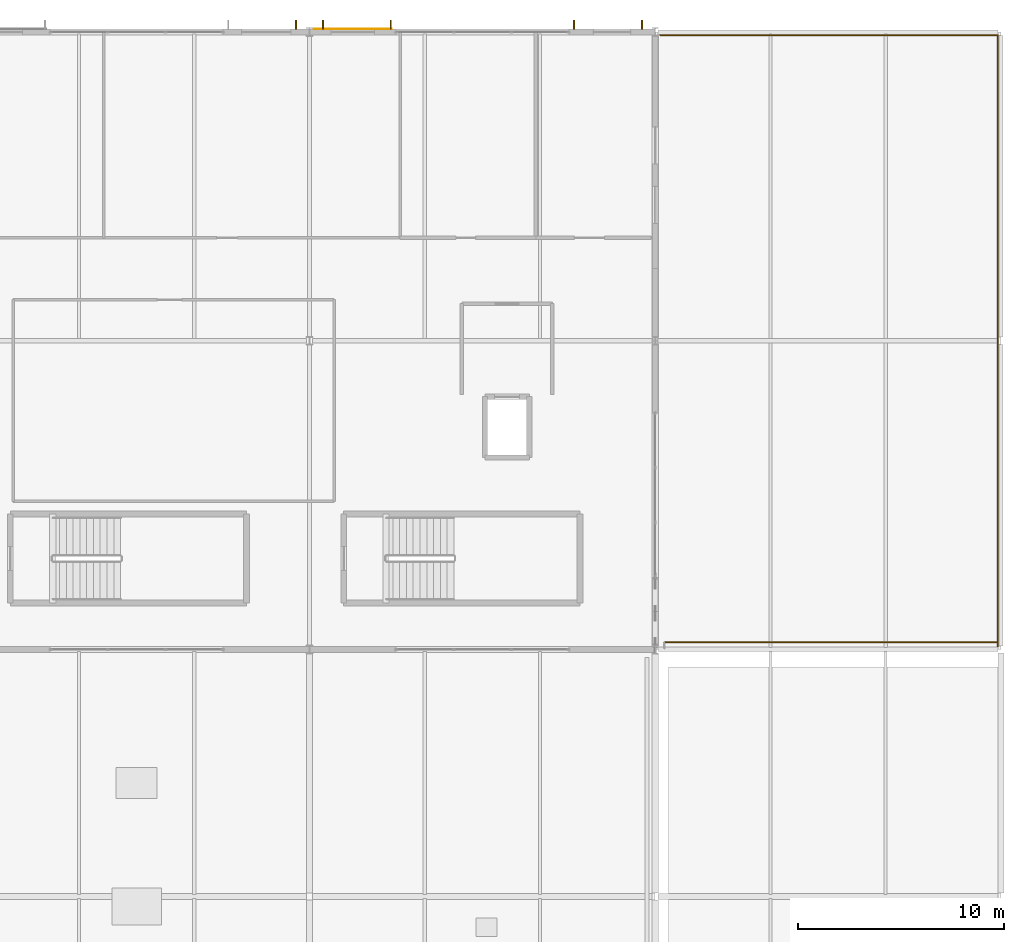
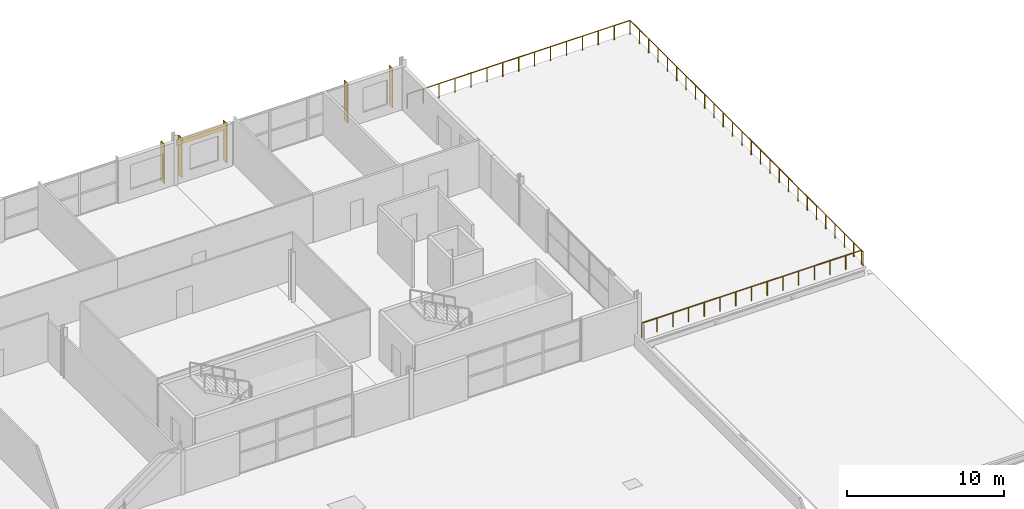
# One storey, part 36 of 36: 5 shading devices, 3 railings, 1 covering.
"""IFC4 building model written with IfcOpenShell, lengths in metres."""

from ifc_helpers import new_model, si_unit, direction, frame, origin, origin_2d, place, context, subcontext, project, spatial, rectangle, circle, extrude, material, layer, layer_set, type_object, element, save


model = new_model("IFC4")

# Units and contexts
model_context = context("Model", 3, precision=1e-05, world=origin(), true_north=direction((0.0, 1.0)))
body_context = subcontext(model_context, "Body", "Model", "MODEL_VIEW")
ifc_project = project(units=[si_unit("LENGTHUNIT", "METRE"), si_unit("AREAUNIT", "SQUARE_METRE"), si_unit("VOLUMEUNIT", "CUBIC_METRE"), si_unit("PLANEANGLEUNIT", "RADIAN"), si_unit("MASSUNIT", "GRAM", prefix="KILO")], contexts=[model_context])

# Site, building, storey
site_placement = place(None, origin())
site = spatial("IfcSite", under=ifc_project, at=site_placement, CompositionType="ELEMENT")
building_placement = place(site_placement, origin())
building = spatial("IfcBuilding", under=site, at=building_placement, Name="Kimbaza Rail Terminus", CompositionType="ELEMENT")
storey_placement = place(building_placement, frame((0.0, 0.0, 21.0)))
storey = spatial("IfcBuildingStorey", under=building, at=storey_placement, Name="L04", CompositionType="ELEMENT", Elevation=21.0)

# Covering
ifc_material_1 = material(Name="Champagne anodised aluminium spandrel cladding", Category="aluminium")
ifc_layer = layer(ifc_material_1, 0.034912109375)
ifc_layer_set = layer_set([ifc_layer], Name="Champagne anodised aluminium spandrel cladding")
covering_type = type_object("IfcCoveringType", Name="ARC-COV-CLD1", PredefinedType="CLADDING", material=ifc_layer_set)
covering_placement = place(storey_placement, frame((124.5, 133.156005859375, 2.7900390625), z_axis=(0.0, 0.0, 1.0), x_axis=(1.0, 0.0, 0.0)))
element("IfcCovering", 1, at=covering_placement, inside=storey, type_object=covering_type, Name="North Spandrel Cladding L04 Bay 5", PredefinedType="CLADDING", context=body_context, shape_type="SweptSolid", body=[
    extrude(rectangle(XDim=3.800048828125, YDim=0.034912109375, at=origin_2d()), origin(), (0.0, 0.0, 1.0), 0.449951171875),
])

# Railings
ifc_material_2 = material(Name="Stainless steel and laminated glass balustrade", Category="steel")
railing_type = type_object("IfcRailingType", Name="ARC-RL-GRD112", PredefinedType="GUARDRAIL", material=ifc_material_2)
railing_1_placement = place(storey_placement, frame((139.64990234375, 103.35009765625, 0.0)))
element("IfcRailing", 2, at=railing_1_placement, inside=storey, type_object=railing_type, Name="Safety Balustrade GRD-TER4-S", PredefinedType="GUARDRAIL", context=body_context, shape_type="SweptSolid", body=[
    extrude(circle(Radius=0.02392578125, at=origin_2d()), frame((0.0, 0.0, 1.09619140625), z_axis=(1.0, 0.0, 0.0), x_axis=(0.0, 1.0, 0.0)), (0.0, 0.0, 1.0), 16.2001953125),
    extrude(circle(Radius=0.02099609375, at=origin_2d()), origin(), (0.0, 0.0, 1.0), 1.072021484375),
    extrude(circle(Radius=0.02099609375, at=origin_2d()), frame((1.1572265625, 0.0, 0.0)), (0.0, 0.0, 1.0), 1.072021484375),
    extrude(circle(Radius=0.02099609375, at=origin_2d()), frame((2.314208984375, 0.0, 0.0)), (0.0, 0.0, 1.0), 1.072021484375),
    extrude(circle(Radius=0.02099609375, at=origin_2d()), frame((3.471435546875, 0.0, 0.0)), (0.0, 0.0, 1.0), 1.072021484375),
    extrude(circle(Radius=0.02099609375, at=origin_2d()), frame((4.628662109375, 0.0, 0.0)), (0.0, 0.0, 1.0), 1.072021484375),
    extrude(circle(Radius=0.02099609375, at=origin_2d()), frame((5.785888671875, 0.0, 0.0)), (0.0, 0.0, 1.0), 1.072021484375),
    extrude(circle(Radius=0.02099609375, at=origin_2d()), frame((6.94287109375, 0.0, 0.0)), (0.0, 0.0, 1.0), 1.072021484375),
    extrude(circle(Radius=0.02099609375, at=origin_2d()), frame((8.10009765625, 0.0, 0.0)), (0.0, 0.0, 1.0), 1.072021484375),
    extrude(circle(Radius=0.02099609375, at=origin_2d()), frame((9.25732421875, 0.0, 0.0)), (0.0, 0.0, 1.0), 1.072021484375),
    extrude(circle(Radius=0.02099609375, at=origin_2d()), frame((10.414306640625, 0.0, 0.0)), (0.0, 0.0, 1.0), 1.072021484375),
    extrude(circle(Radius=0.02099609375, at=origin_2d()), frame((11.571533203125, 0.0, 0.0)), (0.0, 0.0, 1.0), 1.072021484375),
    extrude(circle(Radius=0.02099609375, at=origin_2d()), frame((12.728759765625, 0.0, 0.0)), (0.0, 0.0, 1.0), 1.072021484375),
    extrude(circle(Radius=0.02099609375, at=origin_2d()), frame((13.885986328125, 0.0, 0.0)), (0.0, 0.0, 1.0), 1.072021484375),
    extrude(circle(Radius=0.02099609375, at=origin_2d()), frame((15.04296875, 0.0, 0.0)), (0.0, 0.0, 1.0), 1.072021484375),
    extrude(circle(Radius=0.02099609375, at=origin_2d()), frame((16.2001953125, 0.0, 0.0)), (0.0, 0.0, 1.0), 1.072021484375),
])
railing_2_placement = place(storey_placement, frame((155.85009765625, 103.14990234375, 0.0)))
element("IfcRailing", 3, at=railing_2_placement, inside=storey, type_object=railing_type, Name="Safety Balustrade GRD-TER4-E", PredefinedType="GUARDRAIL", context=body_context, shape_type="SweptSolid", body=[
    extrude(circle(Radius=0.02392578125, at=origin_2d()), frame((0.0, 0.0, 1.09619140625), z_axis=(0.0, 1.0, 0.0), x_axis=(-1.0, 0.0, 0.0)), (0.0, 0.0, 1.0), 29.7001953125),
    extrude(circle(Radius=0.02099609375, at=origin_2d()), origin(), (0.0, 0.0, 1.0), 1.072021484375),
    extrude(circle(Radius=0.02099609375, at=origin_2d()), frame((0.0, 1.18798828125, 0.0)), (0.0, 0.0, 1.0), 1.072021484375),
    extrude(circle(Radius=0.02099609375, at=origin_2d()), frame((0.0, 2.3759765625, 0.0)), (0.0, 0.0, 1.0), 1.072021484375),
    extrude(circle(Radius=0.02099609375, at=origin_2d()), frame((0.0, 3.56396484375, 0.0)), (0.0, 0.0, 1.0), 1.072021484375),
    extrude(circle(Radius=0.02099609375, at=origin_2d()), frame((0.0, 4.751953125, 0.0)), (0.0, 0.0, 1.0), 1.072021484375),
    extrude(circle(Radius=0.02099609375, at=origin_2d()), frame((0.0, 5.93994140625, 0.0)), (0.0, 0.0, 1.0), 1.072021484375),
    extrude(circle(Radius=0.02099609375, at=origin_2d()), frame((0.0, 7.1279296875, 0.0)), (0.0, 0.0, 1.0), 1.072021484375),
    extrude(circle(Radius=0.02099609375, at=origin_2d()), frame((0.0, 8.316162109375, 0.0)), (0.0, 0.0, 1.0), 1.072021484375),
    extrude(circle(Radius=0.02099609375, at=origin_2d()), frame((0.0, 9.504150390625, 0.0)), (0.0, 0.0, 1.0), 1.072021484375),
    extrude(circle(Radius=0.02099609375, at=origin_2d()), frame((0.0, 10.692138671875, 0.0)), (0.0, 0.0, 1.0), 1.072021484375),
    extrude(circle(Radius=0.02099609375, at=origin_2d()), frame((0.0, 11.880126953125, 0.0)), (0.0, 0.0, 1.0), 1.072021484375),
    extrude(circle(Radius=0.02099609375, at=origin_2d()), frame((0.0, 13.068115234375, 0.0)), (0.0, 0.0, 1.0), 1.072021484375),
    extrude(circle(Radius=0.02099609375, at=origin_2d()), frame((0.0, 14.256103515625, 0.0)), (0.0, 0.0, 1.0), 1.072021484375),
    extrude(circle(Radius=0.02099609375, at=origin_2d()), frame((0.0, 15.444091796875, 0.0)), (0.0, 0.0, 1.0), 1.072021484375),
    extrude(circle(Radius=0.02099609375, at=origin_2d()), frame((0.0, 16.632080078125, 0.0)), (0.0, 0.0, 1.0), 1.072021484375),
    extrude(circle(Radius=0.02099609375, at=origin_2d()), frame((0.0, 17.820068359375, 0.0)), (0.0, 0.0, 1.0), 1.072021484375),
    extrude(circle(Radius=0.02099609375, at=origin_2d()), frame((0.0, 19.008056640625, 0.0)), (0.0, 0.0, 1.0), 1.072021484375),
    extrude(circle(Radius=0.02099609375, at=origin_2d()), frame((0.0, 20.196044921875, 0.0)), (0.0, 0.0, 1.0), 1.072021484375),
    extrude(circle(Radius=0.02099609375, at=origin_2d()), frame((0.0, 21.384033203125, 0.0)), (0.0, 0.0, 1.0), 1.072021484375),
    extrude(circle(Radius=0.02099609375, at=origin_2d()), frame((0.0, 22.572265625, 0.0)), (0.0, 0.0, 1.0), 1.072021484375),
    extrude(circle(Radius=0.02099609375, at=origin_2d()), frame((0.0, 23.76025390625, 0.0)), (0.0, 0.0, 1.0), 1.072021484375),
    extrude(circle(Radius=0.02099609375, at=origin_2d()), frame((0.0, 24.9482421875, 0.0)), (0.0, 0.0, 1.0), 1.072021484375),
    extrude(circle(Radius=0.02099609375, at=origin_2d()), frame((0.0, 26.13623046875, 0.0)), (0.0, 0.0, 1.0), 1.072021484375),
    extrude(circle(Radius=0.02099609375, at=origin_2d()), frame((0.0, 27.32421875, 0.0)), (0.0, 0.0, 1.0), 1.072021484375),
    extrude(circle(Radius=0.02099609375, at=origin_2d()), frame((0.0, 28.51220703125, 0.0)), (0.0, 0.0, 1.0), 1.072021484375),
    extrude(circle(Radius=0.02099609375, at=origin_2d()), frame((0.0, 29.7001953125, 0.0)), (0.0, 0.0, 1.0), 1.072021484375),
])
railing_3_placement = place(storey_placement, frame((155.85009765625, 132.85009765625, 0.0)))
element("IfcRailing", 4, at=railing_3_placement, inside=storey, type_object=railing_type, Name="Safety Balustrade GRD-TER4-N", PredefinedType="GUARDRAIL", context=body_context, shape_type="SweptSolid", body=[
    extrude(circle(Radius=0.02392578125, at=origin_2d()), frame((0.0, 0.0, 1.09619140625), z_axis=(-1.0, 0.0, 0.0), x_axis=(0.0, -1.0, 0.0)), (0.0, 0.0, 1.0), 16.400146484375),
    extrude(circle(Radius=0.02099609375, at=origin_2d()), origin(), (0.0, 0.0, 1.0), 1.072021484375),
    extrude(circle(Radius=0.02099609375, at=origin_2d()), frame((-1.17138671875, 0.0, 0.0)), (0.0, 0.0, 1.0), 1.072021484375),
    extrude(circle(Radius=0.02099609375, at=origin_2d()), frame((-2.3427734375, 0.0, 0.0)), (0.0, 0.0, 1.0), 1.072021484375),
    extrude(circle(Radius=0.02099609375, at=origin_2d()), frame((-3.514404296875, 0.0, 0.0)), (0.0, 0.0, 1.0), 1.072021484375),
    extrude(circle(Radius=0.02099609375, at=origin_2d()), frame((-4.685791015625, 0.0, 0.0)), (0.0, 0.0, 1.0), 1.072021484375),
    extrude(circle(Radius=0.02099609375, at=origin_2d()), frame((-5.857177734375, 0.0, 0.0)), (0.0, 0.0, 1.0), 1.072021484375),
    extrude(circle(Radius=0.02099609375, at=origin_2d()), frame((-7.028564453125, 0.0, 0.0)), (0.0, 0.0, 1.0), 1.072021484375),
    extrude(circle(Radius=0.02099609375, at=origin_2d()), frame((-8.2001953125, 0.0, 0.0)), (0.0, 0.0, 1.0), 1.072021484375),
    extrude(circle(Radius=0.02099609375, at=origin_2d()), frame((-9.37158203125, 0.0, 0.0)), (0.0, 0.0, 1.0), 1.072021484375),
    extrude(circle(Radius=0.02099609375, at=origin_2d()), frame((-10.54296875, 0.0, 0.0)), (0.0, 0.0, 1.0), 1.072021484375),
    extrude(circle(Radius=0.02099609375, at=origin_2d()), frame((-11.71435546875, 0.0, 0.0)), (0.0, 0.0, 1.0), 1.072021484375),
    extrude(circle(Radius=0.02099609375, at=origin_2d()), frame((-12.8857421875, 0.0, 0.0)), (0.0, 0.0, 1.0), 1.072021484375),
    extrude(circle(Radius=0.02099609375, at=origin_2d()), frame((-14.057373046875, 0.0, 0.0)), (0.0, 0.0, 1.0), 1.072021484375),
    extrude(circle(Radius=0.02099609375, at=origin_2d()), frame((-15.228759765625, 0.0, 0.0)), (0.0, 0.0, 1.0), 1.072021484375),
    extrude(circle(Radius=0.02099609375, at=origin_2d()), frame((-16.400146484375, 0.0, 0.0)), (0.0, 0.0, 1.0), 1.072021484375),
])

# Shading devices
ifc_material_3 = material(Name="Champagne anodised extruded aluminium", Category="aluminium")
shading_device_type = type_object("IfcShadingDeviceType", Name="ARC-SHD-FIN450", PredefinedType="USERDEFINED", material=ifc_material_3)
for number, where, z_axis, x_axis, name in (
    (5, (121.75, 133.363037109375, 0.150146484375), (0.0, 0.0, 1.0), (1.0, 0.0, 0.0), "North Solar Fin L04 Bay 4.4"),
    (6, (123.050048828125, 133.363037109375, 0.150146484375), (0.0, 0.0, 1.0), (1.0, 0.0, 0.0), "North Solar Fin L04 Bay 5.1"),
    (7, (126.35009765625, 133.363037109375, 0.150146484375), (0.0, 0.0, 1.0), (1.0, 0.0, 0.0), "North Solar Fin L04 Bay 5.2"),
    (8, (135.25, 133.363037109375, 0.150146484375), (0.0, 0.0, 1.0), (1.0, 0.0, 0.0), "North Solar Fin L04 Bay 5.3"),
    (9, (138.550048828125, 133.363037109375, 0.150146484375), (0.0, 0.0, 1.0), (1.0, 0.0, 0.0), "North Solar Fin L04 Bay 5.4"),
):
    element("IfcShadingDevice", number, at=place(storey_placement, frame(where, z_axis=z_axis, x_axis=x_axis)), inside=storey, type_object=shading_device_type, Name=name, ObjectType="BRISE SOLEIL FIN", PredefinedType="USERDEFINED", context=body_context, shape_type="SweptSolid", body=[
        extrude(rectangle(XDim=0.06494140625, YDim=0.449951171875, at=origin_2d()), origin(), (0.0, 0.0, 1.0), 3.06494140625),
    ])

save(model, "model.ifc")
